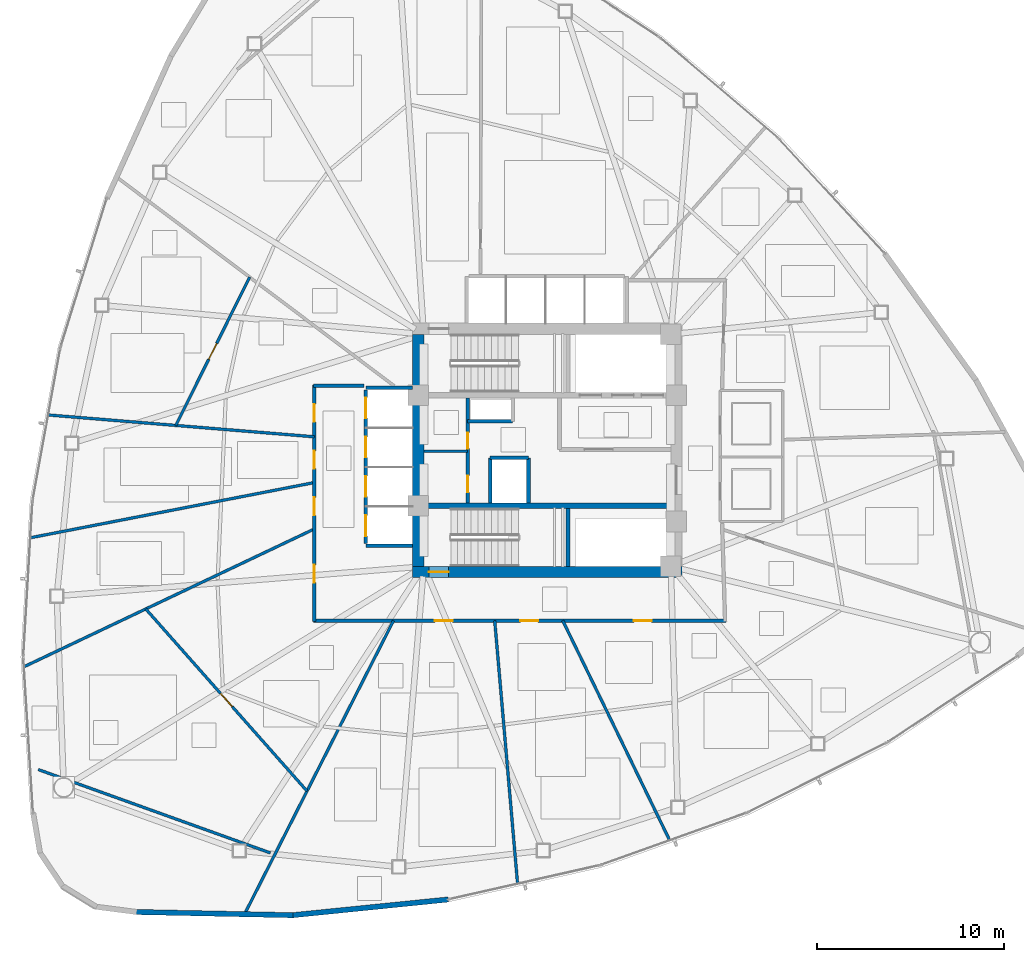
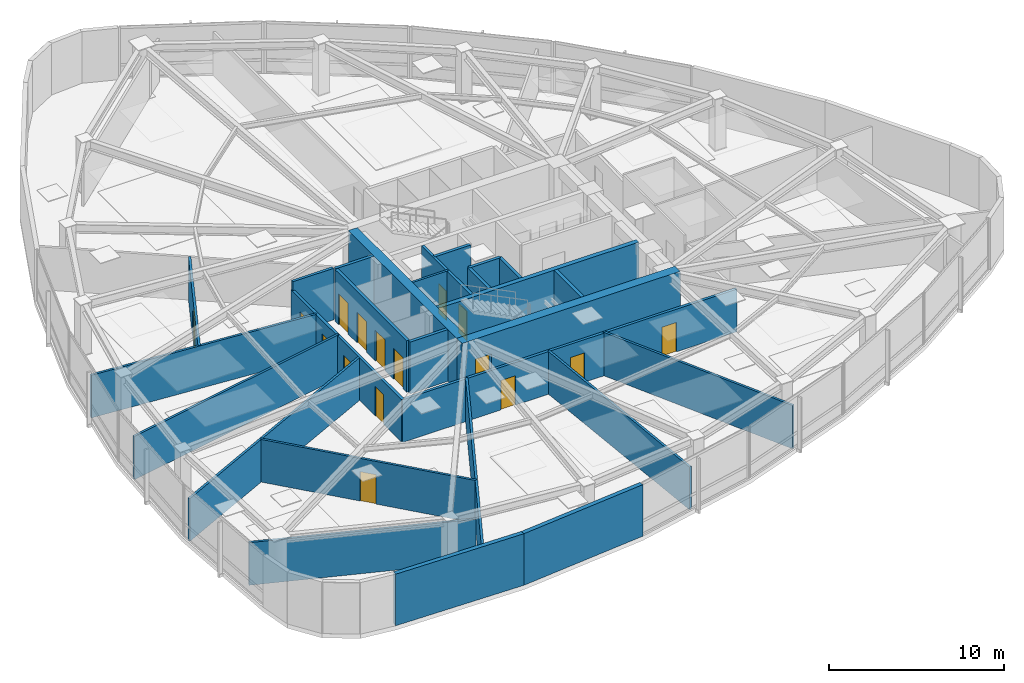
# One storey, part 11 of 17: 27 walls, 16 doors, 16 openings.
"""IFC4 building model written with IfcOpenShell, lengths in metres."""

from ifc_helpers import new_model, si_unit, direction, frame, frame_2d, origin, place, context, subcontext, project, spatial, rectangle, extrude, material, layer, layer_set, type_object, element, fill, save


model = new_model("IFC4")

# Units and contexts
model_context = context("Model", 3, precision=1e-05, world=origin(), true_north=direction((0.0, 1.0)))
body_context = subcontext(model_context, "Body", "Model", "MODEL_VIEW")
ifc_project = project(units=[si_unit("LENGTHUNIT", "METRE"), si_unit("AREAUNIT", "SQUARE_METRE"), si_unit("VOLUMEUNIT", "CUBIC_METRE"), si_unit("PLANEANGLEUNIT", "RADIAN"), si_unit("MASSUNIT", "GRAM", prefix="KILO")], contexts=[model_context])

# Site, building, storey
site_placement = place(None, origin())
site = spatial("IfcSite", under=ifc_project, at=site_placement, CompositionType="ELEMENT")
building_placement = place(site_placement, origin())
building = spatial("IfcBuilding", under=site, at=building_placement, Name="Tavelor Broadcast Tower", CompositionType="ELEMENT")
storey_placement = place(building_placement, frame((0.0, 0.0, 93.89990234375)))
storey = spatial("IfcBuildingStorey", under=building, at=storey_placement, Name="L22", CompositionType="ELEMENT", Elevation=93.89990234375)

# Wall, opening, door
ifc_material_1 = material(Name="Concrete C60/75", Category="concrete")
ifc_layer_1 = layer(ifc_material_1, 0.60009765625)
ifc_layer_set_1 = layer_set([ifc_layer_1], Name="Concrete C60/75")
wall_type_1 = type_object("IfcWallType", Name="Core Shear Wall 600 mm", PredefinedType="SHEAR", material=ifc_layer_set_1)
wall_1_placement = place(storey_placement, frame((42.800048828125, 38.5, 0.0), z_axis=(0.0, 0.0, 1.0), x_axis=(1.0, 0.0, 0.0)))
wall_1 = element("IfcWall", 1, at=wall_1_placement, inside=storey, type_object=wall_type_1, Name="L22 Central Core Shear Wall S", PredefinedType="SHEAR", context=body_context, shape_type="SweptSolid", body=[
    extrude(rectangle(XDim=14.39990234375, YDim=0.60009765625, at=frame_2d((7.199951171875, 0.0))), origin(), (0.0, 0.0, 1.0), 3.60009765625),
])
opening_1_placement = place(wall_1_placement, frame((0.8798828125, 0.0, 0.0)))
opening_1 = element("IfcOpeningElement", 2, at=opening_1_placement, cuts=wall_1, Name="Opening DR11", PredefinedType="OPENING", context=body_context, shape_type="SweptSolid", body=[
    extrude(rectangle(XDim=1.050048828125, YDim=2.199951171875, at=frame_2d((0.52490234375, 1.10009765625))), frame((0.0, 0.31005859375, 0.0), z_axis=(0.0, -1.0, 0.0), x_axis=(1.0, 0.0, 0.0)), (0.0, 0.0, 1.0), 0.6201171875),
])
ifc_material_2 = material(Name="Steel S355", Category="steel")
door_type_1 = type_object("IfcDoorType", Name="Stair Core Fire Escape Door 1050x2200", OperationType="NOTDEFINED", PredefinedType="DOOR", material=ifc_material_2)
door_1_placement = place(opening_1_placement, origin())
door_1 = element("IfcDoor", 3, at=door_1_placement, inside=storey, type_object=door_type_1, Name="L22 Stair ST2 Protected Exit Door", OperationType="SINGLE_SWING_RIGHT", OverallHeight=2.199951171875, OverallWidth=1.050048828125, PredefinedType="DOOR", context=body_context, shape_type="SweptSolid", body=[
    extrude(rectangle(XDim=1.050048828125, YDim=2.199951171875, at=frame_2d((0.52490234375, 1.10009765625))), frame((0.0, 0.02490234375, 0.0), z_axis=(0.0, -1.0, 0.0), x_axis=(1.0, 0.0, 0.0)), (0.0, 0.0, 1.0), 0.050048828125),
])
fill(opening_1, door_1)

# Walls
wall_2_placement = place(storey_placement, frame((43.10009765625, 38.800048828125, 0.0), z_axis=(0.0, 0.0, 1.0), x_axis=(0.0, 1.0, 0.0)))
element("IfcWall", 4, at=wall_2_placement, inside=storey, type_object=wall_type_1, Name="L22 Central Core Shear Wall W", PredefinedType="SHEAR", context=body_context, shape_type="SweptSolid", body=[
    extrude(rectangle(XDim=12.39990234375, YDim=0.60009765625, at=frame_2d((6.199951171875, 0.0))), origin(), (0.0, 0.0, 1.0), 3.60009765625),
])
ifc_layer_2 = layer(ifc_material_1, 0.300048828125)
ifc_layer_set_2 = layer_set([ifc_layer_2], Name="Concrete C60/75")
wall_type_2 = type_object("IfcWallType", Name="Core Spine Shear Wall 300 mm C60", PredefinedType="SHEAR", material=ifc_layer_set_2)
wall_3_placement = place(storey_placement, frame((43.39990234375, 42.050048828125, 0.0), z_axis=(0.0, 0.0, 1.0), x_axis=(1.0, 0.0, 0.0)))
element("IfcWall", 5, at=wall_3_placement, inside=storey, type_object=wall_type_2, Name="L22 Central Core Shear Wall SP2", PredefinedType="SHEAR", context=body_context, shape_type="SweptSolid", body=[
    extrude(rectangle(XDim=13.2001953125, YDim=0.300048828125, at=frame_2d((6.60009765625, 0.0))), origin(), (0.0, 0.0, 1.0), 3.60009765625),
])

# Wall, openings, doors
ifc_material_3 = material(Name="Calcium Silicate Fire Board 180 mm", Category="gypsum")
ifc_layer_3 = layer(ifc_material_3, 0.179931640625)
ifc_layer_set_3 = layer_set([ifc_layer_3], Name="Calcium Silicate Fire Board 180 mm")
wall_type_3 = type_object("IfcWallType", Name="Fire-Rated Corridor Partition Wall 180 mm", PredefinedType="PARTITIONING", material=ifc_layer_set_3)
wall_4_placement = place(storey_placement, frame((45.75, 42.199951171875, 0.0), z_axis=(0.0, 0.0, 1.0), x_axis=(0.0, 1.0, 0.0)))
wall_4 = element("IfcWall", 6, at=wall_4_placement, inside=storey, type_object=wall_type_3, Name="L22 Core West Service East Wall", PredefinedType="PARTITIONING", context=body_context, shape_type="SweptSolid", body=[
    extrude(rectangle(XDim=5.60009765625, YDim=0.179931640625, at=frame_2d((2.800048828125, 0.0))), origin(), (0.0, 0.0, 1.0), 3.60009765625),
])
opening_2_placement = place(wall_4_placement, frame((0.550048828125, 0.0, 0.0)))
opening_2 = element("IfcOpeningElement", 7, at=opening_2_placement, cuts=wall_4, Name="Opening DR32", PredefinedType="OPENING", context=body_context, shape_type="SweptSolid", body=[
    extrude(rectangle(XDim=0.89990234375, YDim=2.050048828125, at=frame_2d((0.449951171875, 1.02490234375))), frame((0.0, 0.10009765625, 0.0), z_axis=(0.0, -1.0, 0.0), x_axis=(1.0, 0.0, 0.0)), (0.0, 0.0, 1.0), 0.199951171875),
])
opening_3_placement = place(wall_4_placement, frame((2.89990234375, 0.0, 0.0)))
opening_3 = element("IfcOpeningElement", 8, at=opening_3_placement, cuts=wall_4, Name="Opening DR36", PredefinedType="OPENING", context=body_context, shape_type="SweptSolid", body=[
    extrude(rectangle(XDim=0.85009765625, YDim=2.050048828125, at=frame_2d((0.425048828125, 1.02490234375))), frame((0.0, 0.10009765625, 0.0), z_axis=(0.0, -1.0, 0.0), x_axis=(1.0, 0.0, 0.0)), (0.0, 0.0, 1.0), 0.199951171875),
])
ifc_material_4 = material(Name="Timber Solid Core Hardwood", Category="wood")
door_type_2 = type_object("IfcDoorType", Name="Accessible Washroom Door 900x2050", OperationType="NOTDEFINED", PredefinedType="DOOR", material=ifc_material_4)
door_2_placement = place(opening_2_placement, origin())
door_2 = element("IfcDoor", 9, at=door_2_placement, inside=storey, type_object=door_type_2, Name="L22 Core Accessible WC Door", OperationType="SINGLE_SWING_LEFT", OverallHeight=2.050048828125, OverallWidth=0.89990234375, PredefinedType="DOOR", context=body_context, shape_type="SweptSolid", body=[
    extrude(rectangle(XDim=0.89990234375, YDim=2.050048828125, at=frame_2d((0.449951171875, 1.02490234375))), frame((0.0, 0.02490234375, 0.0), z_axis=(0.0, -1.0, 0.0), x_axis=(1.0, 0.0, 0.0)), (0.0, 0.0, 1.0), 0.050048828125),
])
fill(opening_2, door_2)
door_type_3 = type_object("IfcDoorType", Name="Service Room Fire Door 850x2050", OperationType="NOTDEFINED", PredefinedType="DOOR", material=ifc_material_2)
door_3_placement = place(opening_3_placement, origin())
door_3 = element("IfcDoor", 10, at=door_3_placement, inside=storey, type_object=door_type_3, Name="L22 Core Cleaner Store Door", OperationType="SINGLE_SWING_RIGHT", OverallHeight=2.050048828125, OverallWidth=0.85009765625, PredefinedType="DOOR", context=body_context, shape_type="SweptSolid", body=[
    extrude(rectangle(XDim=0.85009765625, YDim=2.050048828125, at=frame_2d((0.425048828125, 1.02490234375))), frame((0.0, 0.02490234375, 0.0), z_axis=(0.0, -1.0, 0.0), x_axis=(1.0, 0.0, 0.0)), (0.0, 0.0, 1.0), 0.050048828125),
])
fill(opening_3, door_3)

wall_5_placement = place(storey_placement, frame((59.550048828125, 35.89990234375, 0.0), z_axis=(0.0, 0.0, 1.0), x_axis=(-1.0, 0.0, 0.0)))
wall_5 = element("IfcWall", 11, at=wall_5_placement, inside=storey, type_object=wall_type_3, Name="L22 Corridor Compartment Wall 04", PredefinedType="PARTITIONING", context=body_context, shape_type="SweptSolid", body=[
    extrude(rectangle(XDim=22.050048828125, YDim=0.179931640625, at=frame_2d((11.02490234375, 0.0))), origin(), (0.0, 0.0, 1.0), 2.97509765625),
])
opening_4_placement = place(wall_5_placement, frame((3.972412109375, 0.0, 0.0)))
opening_4 = element("IfcOpeningElement", 12, at=opening_4_placement, cuts=wall_5, Name="Opening DR18", PredefinedType="OPENING", context=body_context, shape_type="SweptSolid", body=[
    extrude(rectangle(XDim=0.949951171875, YDim=2.050048828125, at=frame_2d((0.47509765625, 1.02490234375))), frame((0.0, 0.10009765625, 0.0), z_axis=(0.0, -1.0, 0.0), x_axis=(1.0, 0.0, 0.0)), (0.0, 0.0, 1.0), 0.199951171875),
])
opening_5_placement = place(wall_5_placement, frame((10.0390625, 0.0, 0.0)))
opening_5 = element("IfcOpeningElement", 13, at=opening_5_placement, cuts=wall_5, Name="Opening DR18", PredefinedType="OPENING", context=body_context, shape_type="SweptSolid", body=[
    extrude(rectangle(XDim=0.949951171875, YDim=2.050048828125, at=frame_2d((0.47509765625, 1.02490234375))), frame((0.0, 0.10009765625, 0.0), z_axis=(0.0, -1.0, 0.0), x_axis=(1.0, 0.0, 0.0)), (0.0, 0.0, 1.0), 0.199951171875),
])
opening_6_placement = place(wall_5_placement, frame((14.606201171875, 0.0, 0.0)))
opening_6 = element("IfcOpeningElement", 14, at=opening_6_placement, cuts=wall_5, Name="Opening DR18", PredefinedType="OPENING", context=body_context, shape_type="SweptSolid", body=[
    extrude(rectangle(XDim=0.949951171875, YDim=2.050048828125, at=frame_2d((0.47509765625, 1.02490234375))), frame((0.0, 0.10009765625, 0.0), z_axis=(0.0, -1.0, 0.0), x_axis=(1.0, 0.0, 0.0)), (0.0, 0.0, 1.0), 0.199951171875),
])
door_type_4 = type_object("IfcDoorType", Name="Corridor Rated Compartment Door 950x2050", OperationType="NOTDEFINED", PredefinedType="DOOR", material=ifc_material_4)
door_4_placement = place(opening_4_placement, origin())
door_4 = element("IfcDoor", 15, at=door_4_placement, inside=storey, type_object=door_type_4, Name="L22 Editorial Quiet Study Door R0", OperationType="SINGLE_SWING_RIGHT", OverallHeight=2.050048828125, OverallWidth=0.949951171875, PredefinedType="DOOR", context=body_context, shape_type="SweptSolid", body=[
    extrude(rectangle(XDim=0.949951171875, YDim=2.050048828125, at=frame_2d((0.47509765625, 1.02490234375))), frame((0.0, 0.02490234375, 0.0), z_axis=(0.0, -1.0, 0.0), x_axis=(1.0, 0.0, 0.0)), (0.0, 0.0, 1.0), 0.050048828125),
])
fill(opening_4, door_4)
door_5_placement = place(opening_5_placement, origin())
door_5 = element("IfcDoor", 16, at=door_5_placement, inside=storey, type_object=door_type_4, Name="L22 Broadcast Script Study Door R1", OperationType="SINGLE_SWING_LEFT", OverallHeight=2.050048828125, OverallWidth=0.949951171875, PredefinedType="DOOR", context=body_context, shape_type="SweptSolid", body=[
    extrude(rectangle(XDim=0.949951171875, YDim=2.050048828125, at=frame_2d((0.47509765625, 1.02490234375))), frame((0.0, 0.02490234375, 0.0), z_axis=(0.0, -1.0, 0.0), x_axis=(1.0, 0.0, 0.0)), (0.0, 0.0, 1.0), 0.050048828125),
])
fill(opening_5, door_5)
door_6_placement = place(opening_6_placement, origin())
door_6 = element("IfcDoor", 17, at=door_6_placement, inside=storey, type_object=door_type_4, Name="L22 Executive Reading Study Door R2", OperationType="SINGLE_SWING_RIGHT", OverallHeight=2.050048828125, OverallWidth=0.949951171875, PredefinedType="DOOR", context=body_context, shape_type="SweptSolid", body=[
    extrude(rectangle(XDim=0.949951171875, YDim=2.050048828125, at=frame_2d((0.47509765625, 1.02490234375))), frame((0.0, 0.02490234375, 0.0), z_axis=(0.0, -1.0, 0.0), x_axis=(1.0, 0.0, 0.0)), (0.0, 0.0, 1.0), 0.050048828125),
])
fill(opening_6, door_6)

wall_6_placement = place(storey_placement, frame((37.550048828125, 35.85009765625, 0.0), z_axis=(0.0, 0.0, 1.0), x_axis=(0.0, 1.0, 0.0)))
wall_6 = element("IfcWall", 18, at=wall_6_placement, inside=storey, type_object=wall_type_3, Name="L22 Corridor Compartment Wall 05", PredefinedType="PARTITIONING", context=body_context, shape_type="SweptSolid", body=[
    extrude(rectangle(XDim=12.64990234375, YDim=0.179931640625, at=frame_2d((6.324951171875, 0.0))), origin(), (0.0, 0.0, 1.0), 2.97509765625),
])
opening_7_placement = place(wall_6_placement, frame((2.087646484375, 0.0, 0.0)))
opening_7 = element("IfcOpeningElement", 19, at=opening_7_placement, cuts=wall_6, Name="Opening DR18", PredefinedType="OPENING", context=body_context, shape_type="SweptSolid", body=[
    extrude(rectangle(XDim=0.949951171875, YDim=2.050048828125, at=frame_2d((0.47509765625, 1.02490234375))), frame((0.0, 0.10009765625, 0.0), z_axis=(0.0, -1.0, 0.0), x_axis=(1.0, 0.0, 0.0)), (0.0, 0.0, 1.0), 0.199951171875),
])
opening_8_placement = place(wall_6_placement, frame((5.68310546875, 0.0, 0.0)))
opening_8 = element("IfcOpeningElement", 20, at=opening_8_placement, cuts=wall_6, Name="Opening DR18", PredefinedType="OPENING", context=body_context, shape_type="SweptSolid", body=[
    extrude(rectangle(XDim=0.949951171875, YDim=2.050048828125, at=frame_2d((0.47509765625, 1.02490234375))), frame((0.0, 0.10009765625, 0.0), z_axis=(0.0, -1.0, 0.0), x_axis=(1.0, 0.0, 0.0)), (0.0, 0.0, 1.0), 0.199951171875),
])
opening_9_placement = place(wall_6_placement, frame((8.1728515625, 0.0, 0.0)))
opening_9 = element("IfcOpeningElement", 21, at=opening_9_placement, cuts=wall_6, Name="Opening DR18", PredefinedType="OPENING", context=body_context, shape_type="SweptSolid", body=[
    extrude(rectangle(XDim=0.949951171875, YDim=2.050048828125, at=frame_2d((0.47509765625, 1.02490234375))), frame((0.0, 0.10009765625, 0.0), z_axis=(0.0, -1.0, 0.0), x_axis=(1.0, 0.0, 0.0)), (0.0, 0.0, 1.0), 0.199951171875),
])
opening_10_placement = place(wall_6_placement, frame((10.6748046875, 0.0, 0.0)))
opening_10 = element("IfcOpeningElement", 22, at=opening_10_placement, cuts=wall_6, Name="Opening DR18", PredefinedType="OPENING", context=body_context, shape_type="SweptSolid", body=[
    extrude(rectangle(XDim=0.949951171875, YDim=2.050048828125, at=frame_2d((0.47509765625, 1.02490234375))), frame((0.0, 0.10009765625, 0.0), z_axis=(0.0, -1.0, 0.0), x_axis=(1.0, 0.0, 0.0)), (0.0, 0.0, 1.0), 0.199951171875),
])
door_7_placement = place(opening_7_placement, origin())
door_7 = element("IfcDoor", 23, at=door_7_placement, inside=storey, type_object=door_type_4, Name="L22 Producer Interview Room Door R12", OperationType="SINGLE_SWING_LEFT", OverallHeight=2.050048828125, OverallWidth=0.949951171875, PredefinedType="DOOR", context=body_context, shape_type="SweptSolid", body=[
    extrude(rectangle(XDim=0.949951171875, YDim=2.050048828125, at=frame_2d((0.47509765625, 1.02490234375))), frame((0.0, 0.02490234375, 0.0), z_axis=(0.0, -1.0, 0.0), x_axis=(1.0, 0.0, 0.0)), (0.0, 0.0, 1.0), 0.050048828125),
])
fill(opening_7, door_7)
door_8_placement = place(opening_8_placement, origin())
door_8 = element("IfcDoor", 24, at=door_8_placement, inside=storey, type_object=door_type_4, Name="L22 Documentary Research Study Door R4", OperationType="SINGLE_SWING_RIGHT", OverallHeight=2.050048828125, OverallWidth=0.949951171875, PredefinedType="DOOR", context=body_context, shape_type="SweptSolid", body=[
    extrude(rectangle(XDim=0.949951171875, YDim=2.050048828125, at=frame_2d((0.47509765625, 1.02490234375))), frame((0.0, 0.02490234375, 0.0), z_axis=(0.0, -1.0, 0.0), x_axis=(1.0, 0.0, 0.0)), (0.0, 0.0, 1.0), 0.050048828125),
])
fill(opening_8, door_8)
door_9_placement = place(opening_9_placement, origin())
door_9 = element("IfcDoor", 25, at=door_9_placement, inside=storey, type_object=door_type_4, Name="L22 Talent Script Den Door R5", OperationType="SINGLE_SWING_LEFT", OverallHeight=2.050048828125, OverallWidth=0.949951171875, PredefinedType="DOOR", context=body_context, shape_type="SweptSolid", body=[
    extrude(rectangle(XDim=0.949951171875, YDim=2.050048828125, at=frame_2d((0.47509765625, 1.02490234375))), frame((0.0, 0.02490234375, 0.0), z_axis=(0.0, -1.0, 0.0), x_axis=(1.0, 0.0, 0.0)), (0.0, 0.0, 1.0), 0.050048828125),
])
fill(opening_9, door_9)
door_10_placement = place(opening_10_placement, origin())
door_10 = element("IfcDoor", 26, at=door_10_placement, inside=storey, type_object=door_type_4, Name="L22 VFX Compositing Lab Door R11", OperationType="SINGLE_SWING_RIGHT", OverallHeight=2.050048828125, OverallWidth=0.949951171875, PredefinedType="DOOR", context=body_context, shape_type="SweptSolid", body=[
    extrude(rectangle(XDim=0.949951171875, YDim=2.050048828125, at=frame_2d((0.47509765625, 1.02490234375))), frame((0.0, 0.02490234375, 0.0), z_axis=(0.0, -1.0, 0.0), x_axis=(1.0, 0.0, 0.0)), (0.0, 0.0, 1.0), 0.050048828125),
])
fill(opening_10, door_10)

# Walls
wall_7_placement = place(storey_placement, frame((37.5, 48.449951171875, 0.0), z_axis=(0.0, 0.0, 1.0), x_axis=(1.0, 0.0, 0.0)))
element("IfcWall", 27, at=wall_7_placement, inside=storey, type_object=wall_type_3, Name="L22 Corridor Compartment Wall 06", PredefinedType="PARTITIONING", context=body_context, shape_type="SweptSolid", body=[
    extrude(rectangle(XDim=2.699951171875, YDim=0.179931640625, at=frame_2d((1.35009765625, 0.0))), origin(), (0.0, 0.0, 1.0), 3.60009765625),
])
ifc_material_5 = material(Name="Precast Concrete C40/50", Category="concrete")
ifc_layer_4 = layer(ifc_material_5, 0.280029296875)
ifc_layer_set_4 = layer_set([ifc_layer_4], Name="Precast Concrete C40/50")
wall_type_4 = type_object("IfcWallType", Name="Insulated Precast Terracotta Facade Wall 280 mm", PredefinedType="STANDARD", material=ifc_layer_set_4)
wall_8_placement = place(storey_placement, frame((28.03076171875, 20.332275390625, 0.0), z_axis=(0.0, 0.0, 1.0), x_axis=(0.999788945502, -0.020544207251, 0.0)))
element("IfcWall", 28, at=wall_8_placement, inside=storey, type_object=wall_type_4, Name="L22 Rounded Corner Structural Cladding Pier 15", PredefinedType="STANDARD", context=body_context, shape_type="SweptSolid", body=[
    extrude(rectangle(XDim=8.3779296875, YDim=0.280029296875, at=frame_2d((4.18896484375, 0.0))), origin(), (0.0, 0.0, 1.0), 3.60009765625),
])
wall_9_placement = place(storey_placement, frame((36.376953125, 20.158935546875, 0.0), z_axis=(0.0, 0.0, 1.0), x_axis=(0.994927664278, 0.100592956289, 0.0)))
element("IfcWall", 29, at=wall_9_placement, inside=storey, type_object=wall_type_4, Name="L22 Rounded Corner Structural Cladding Pier 16", PredefinedType="STANDARD", context=body_context, shape_type="SweptSolid", body=[
    extrude(rectangle(XDim=8.365966796875, YDim=0.280029296875, at=frame_2d((4.18310546875, 0.0))), origin(), (0.0, 0.0, 1.0), 3.60009765625),
])
ifc_material_6 = material(Name="Gypsum Acoustic Plasterboard 150 mm", Category="gypsum")
ifc_layer_5 = layer(ifc_material_6, 0.14990234375)
ifc_layer_set_5 = layer_set([ifc_layer_5], Name="Gypsum Acoustic Plasterboard 150 mm")
wall_type_5 = type_object("IfcWallType", Name="Interior Acoustic Partition Wall 150 mm", PredefinedType="PARTITIONING", material=ifc_layer_set_5)
wall_10_placement = place(storey_placement, frame((43.39990234375, 44.949951171875, 0.0), z_axis=(0.0, 0.0, 1.0), x_axis=(1.0, 0.0, 0.0)))
element("IfcWall", 30, at=wall_10_placement, inside=storey, type_object=wall_type_5, Name="L22 Core Split Wall A", PredefinedType="PARTITIONING", context=body_context, shape_type="SweptSolid", body=[
    extrude(rectangle(XDim=2.35009765625, YDim=0.14990234375, at=frame_2d((1.175048828125, 0.0))), origin(), (0.0, 0.0, 1.0), 3.60009765625),
])
wall_11_placement = place(storey_placement, frame((22.802001953125, 27.94482421875, 0.0), z_axis=(0.0, 0.0, 1.0), x_axis=(0.941102349209, -0.338121824662, 0.0)))
element("IfcWall", 31, at=wall_11_placement, inside=storey, type_object=wall_type_5, Name="L22 Corner Tube Brace Furring Wall 2", PredefinedType="PARTITIONING", context=body_context, shape_type="SweptSolid", body=[
    extrude(rectangle(XDim=13.1796875, YDim=0.14990234375, at=frame_2d((6.58984375, 0.0))), origin(), (0.0, 0.0, 1.0), 2.97509765625),
])
wall_12_placement = place(storey_placement, frame((37.550048828125, 43.27978515625, 0.0), z_axis=(0.0, 0.0, 1.0), x_axis=(-0.981626313679, -0.190813469892, 0.0)))
element("IfcWall", 32, at=wall_12_placement, inside=storey, type_object=wall_type_5, Name="L22 Radial Compartment Wall 01", PredefinedType="PARTITIONING", context=body_context, shape_type="SweptSolid", body=[
    extrude(rectangle(XDim=15.467529296875, YDim=0.14990234375, at=frame_2d((7.73388671875, 0.0))), origin(), (0.0, 0.0, 1.0), 3.025146484375),
])
wall_13_placement = place(storey_placement, frame((37.550048828125, 40.7998046875, 0.0), z_axis=(0.0, 0.0, 1.0), x_axis=(-0.903418815243, -0.428759191465, 0.0)))
element("IfcWall", 33, at=wall_13_placement, inside=storey, type_object=wall_type_5, Name="L22 Radial Compartment Wall 02", PredefinedType="PARTITIONING", context=body_context, shape_type="SweptSolid", body=[
    extrude(rectangle(XDim=17.185302734375, YDim=0.14990234375, at=frame_2d((8.5927734375, 0.0))), origin(), (0.0, 0.0, 1.0), 2.97509765625),
])
wall_14_placement = place(storey_placement, frame((41.78173828125, 35.89990234375, 0.0), z_axis=(0.0, 0.0, 1.0), x_axis=(-0.452548316894, -0.89173988409, 0.0)))
element("IfcWall", 34, at=wall_14_placement, inside=storey, type_object=wall_type_5, Name="L22 Radial Compartment Wall 03", PredefinedType="PARTITIONING", context=body_context, shape_type="SweptSolid", body=[
    extrude(rectangle(XDim=17.60205078125, YDim=0.14990234375, at=frame_2d((8.801025390625, 0.0))), origin(), (0.0, 0.0, 1.0), 2.97509765625),
])
wall_15_placement = place(storey_placement, frame((47.191162109375, 35.89990234375, 0.0), z_axis=(0.0, 0.0, 1.0), x_axis=(0.08660425448, -0.996242793252, 0.0)))
element("IfcWall", 35, at=wall_15_placement, inside=storey, type_object=wall_type_5, Name="L22 Radial Compartment Wall 04", PredefinedType="PARTITIONING", context=body_context, shape_type="SweptSolid", body=[
    extrude(rectangle(XDim=14.123291015625, YDim=0.14990234375, at=frame_2d((7.0615234375, 0.0))), origin(), (0.0, 0.0, 1.0), 2.97509765625),
])
wall_16_placement = place(storey_placement, frame((50.828857421875, 35.89990234375, 0.0), z_axis=(0.0, 0.0, 1.0), x_axis=(0.437604176033, -0.899167718014, 0.0)))
element("IfcWall", 36, at=wall_16_placement, inside=storey, type_object=wall_type_5, Name="L22 Radial Compartment Wall 05", PredefinedType="PARTITIONING", context=body_context, shape_type="SweptSolid", body=[
    extrude(rectangle(XDim=13.063232421875, YDim=0.14990234375, at=frame_2d((6.53173828125, 0.0))), origin(), (0.0, 0.0, 1.0), 3.025146484375),
])
wall_17_placement = place(storey_placement, frame((37.550048828125, 45.72607421875, 0.0), z_axis=(0.0, 0.0, 1.0), x_axis=(-0.996651081708, 0.081771763653, 0.0)))
element("IfcWall", 37, at=wall_17_placement, inside=storey, type_object=wall_type_5, Name="L22 Radial Compartment Wall 11", PredefinedType="PARTITIONING", context=body_context, shape_type="SweptSolid", body=[
    extrude(rectangle(XDim=14.27734375, YDim=0.14990234375, at=frame_2d((7.138671875, 0.0))), origin(), (0.0, 0.0, 1.0), 2.97509765625),
])

# Wall, opening, door
wall_18_placement = place(storey_placement, frame((34.094970703125, 54.256591796875, 0.0), z_axis=(0.0, 0.0, 1.0), x_axis=(-0.445635137277, -0.895214680635, 0.0)))
wall_18 = element("IfcWall", 38, at=wall_18_placement, inside=storey, type_object=wall_type_5, Name="L22 Suite Chord Partition Wall 01", PredefinedType="PARTITIONING", context=body_context, shape_type="SweptSolid", body=[
    extrude(rectangle(XDim=8.85107421875, YDim=0.14990234375, at=frame_2d((4.425537109375, 0.0))), origin(), (0.0, 0.0, 1.0), 2.97509765625),
])
opening_11_placement = place(wall_18_placement, frame((3.950439453125, 0.0, 0.0)))
opening_11 = element("IfcOpeningElement", 39, at=opening_11_placement, cuts=wall_18, Name="Opening DR23", PredefinedType="OPENING", context=body_context, shape_type="SweptSolid", body=[
    extrude(rectangle(XDim=0.949951171875, YDim=2.050048828125, at=frame_2d((0.47509765625, 1.02490234375))), frame((0.0, 0.0849609375, 0.0), z_axis=(0.0, -1.0, 0.0), x_axis=(1.0, 0.0, 0.0)), (0.0, 0.0, 1.0), 0.169921875),
])
door_type_5 = type_object("IfcDoorType", Name="Editorial Room Acoustic Door 950x2050", OperationType="NOTDEFINED", PredefinedType="DOOR", material=ifc_material_4)
door_11_placement = place(opening_11_placement, origin())
door_11 = element("IfcDoor", 40, at=door_11_placement, inside=storey, type_object=door_type_5, Name="L22 Outer Suite Partition Door 1", OperationType="SINGLE_SWING_LEFT", OverallHeight=2.050048828125, OverallWidth=0.949951171875, PredefinedType="DOOR", context=body_context, shape_type="SweptSolid", body=[
    extrude(rectangle(XDim=0.949951171875, YDim=2.050048828125, at=frame_2d((0.47509765625, 1.02490234375))), frame((0.0, 0.02490234375, 0.0), z_axis=(0.0, -1.0, 0.0), x_axis=(1.0, 0.0, 0.0)), (0.0, 0.0, 1.0), 0.050048828125),
])
fill(opening_11, door_11)

wall_19_placement = place(storey_placement, frame((28.545166015625, 36.526123046875, 0.0), z_axis=(0.0, 0.0, 1.0), x_axis=(0.662960052541, -0.748654772732, 0.0)))
wall_19 = element("IfcWall", 41, at=wall_19_placement, inside=storey, type_object=wall_type_5, Name="L22 Suite Chord Partition Wall 02", PredefinedType="PARTITIONING", context=body_context, shape_type="SweptSolid", body=[
    extrude(rectangle(XDim=12.996826171875, YDim=0.14990234375, at=frame_2d((6.49853515625, 0.0))), origin(), (0.0, 0.0, 1.0), 2.97509765625),
])
opening_12_placement = place(wall_19_placement, frame((6.0234375, 0.0, 0.0)))
opening_12 = element("IfcOpeningElement", 42, at=opening_12_placement, cuts=wall_19, Name="Opening DR23", PredefinedType="OPENING", context=body_context, shape_type="SweptSolid", body=[
    extrude(rectangle(XDim=0.949951171875, YDim=2.050048828125, at=frame_2d((0.47509765625, 1.02490234375))), frame((0.0, 0.0849609375, 0.0), z_axis=(0.0, -1.0, 0.0), x_axis=(1.0, 0.0, 0.0)), (0.0, 0.0, 1.0), 0.169921875),
])
door_12_placement = place(opening_12_placement, origin())
door_12 = element("IfcDoor", 43, at=door_12_placement, inside=storey, type_object=door_type_5, Name="L22 Outer Suite Partition Door 2", OperationType="SINGLE_SWING_RIGHT", OverallHeight=2.050048828125, OverallWidth=0.949951171875, PredefinedType="DOOR", context=body_context, shape_type="SweptSolid", body=[
    extrude(rectangle(XDim=0.949951171875, YDim=2.050048828125, at=frame_2d((0.47509765625, 1.02490234375))), frame((0.0, 0.02490234375, 0.0), z_axis=(0.0, -1.0, 0.0), x_axis=(1.0, 0.0, 0.0)), (0.0, 0.0, 1.0), 0.050048828125),
])
fill(opening_12, door_12)

# Wall, openings, doors
ifc_material_7 = material(Name="Concrete Blockwork 200 mm", Category="masonry")
ifc_layer_6 = layer(ifc_material_7, 0.199951171875)
ifc_layer_set_6 = layer_set([ifc_layer_6], Name="Concrete Blockwork 200 mm")
wall_type_6 = type_object("IfcWallType", Name="Lift Hoistway Rated Front Wall 200 mm", PredefinedType="PARTITIONING", material=ifc_layer_set_6)
wall_20_placement = place(storey_placement, frame((40.300048828125, 40.02001953125, 0.0), z_axis=(0.0, 0.0, 1.0), x_axis=(0.0, 1.0, 0.0)))
wall_20 = element("IfcWall", 44, at=wall_20_placement, inside=storey, type_object=wall_type_6, Name="L22 Low-Rise Lift Hoistway Front Wall", PredefinedType="PARTITIONING", context=body_context, shape_type="SweptSolid", body=[
    extrude(rectangle(XDim=8.2099609375, YDim=0.199951171875, at=frame_2d((4.10498046875, 0.0))), origin(), (0.0, 0.0, 1.0), 3.60009765625),
])
opening_13_placement = place(wall_20_placement, frame((0.405029296875, 0.0, 0.0)))
opening_13 = element("IfcOpeningElement", 45, at=opening_13_placement, cuts=wall_20, Name="Opening LD01", PredefinedType="OPENING", context=body_context, shape_type="SweptSolid", body=[
    extrude(rectangle(XDim=1.10009765625, YDim=2.14990234375, at=frame_2d((0.550048828125, 1.074951171875))), frame((0.0, 0.10986328125, 0.0), z_axis=(0.0, -1.0, 0.0), x_axis=(1.0, 0.0, 0.0)), (0.0, 0.0, 1.0), 0.219970703125),
])
opening_14_placement = place(wall_20_placement, frame((2.5048828125, 0.0, 0.0)))
opening_14 = element("IfcOpeningElement", 46, at=opening_14_placement, cuts=wall_20, Name="Opening LD01", PredefinedType="OPENING", context=body_context, shape_type="SweptSolid", body=[
    extrude(rectangle(XDim=1.10009765625, YDim=2.14990234375, at=frame_2d((0.550048828125, 1.074951171875))), frame((0.0, 0.10986328125, 0.0), z_axis=(0.0, -1.0, 0.0), x_axis=(1.0, 0.0, 0.0)), (0.0, 0.0, 1.0), 0.219970703125),
])
opening_15_placement = place(wall_20_placement, frame((4.60498046875, 0.0, 0.0)))
opening_15 = element("IfcOpeningElement", 47, at=opening_15_placement, cuts=wall_20, Name="Opening LD01", PredefinedType="OPENING", context=body_context, shape_type="SweptSolid", body=[
    extrude(rectangle(XDim=1.10009765625, YDim=2.14990234375, at=frame_2d((0.550048828125, 1.074951171875))), frame((0.0, 0.10986328125, 0.0), z_axis=(0.0, -1.0, 0.0), x_axis=(1.0, 0.0, 0.0)), (0.0, 0.0, 1.0), 0.219970703125),
])
opening_16_placement = place(wall_20_placement, frame((6.705078125, 0.0, 0.0)))
opening_16 = element("IfcOpeningElement", 48, at=opening_16_placement, cuts=wall_20, Name="Opening LD01", PredefinedType="OPENING", context=body_context, shape_type="SweptSolid", body=[
    extrude(rectangle(XDim=1.10009765625, YDim=2.14990234375, at=frame_2d((0.550048828125, 1.074951171875))), frame((0.0, 0.10986328125, 0.0), z_axis=(0.0, -1.0, 0.0), x_axis=(1.0, 0.0, 0.0)), (0.0, 0.0, 1.0), 0.219970703125),
])
ifc_material_8 = material(Name="Brushed Stainless Steel", Category="steel")
door_type_6 = type_object("IfcDoorType", Name="Passenger Lift Sliding Landing Door 1100x2150", OperationType="NOTDEFINED", PredefinedType="DOOR", material=ifc_material_8)
door_13_placement = place(opening_13_placement, origin())
door_13 = element("IfcDoor", 49, at=door_13_placement, inside=storey, type_object=door_type_6, Name="L22 Lift PLL1 Sliding Landing Door", OperationType="SLIDING_TO_LEFT", OverallHeight=2.14990234375, OverallWidth=1.10009765625, PredefinedType="DOOR", context=body_context, shape_type="SweptSolid", body=[
    extrude(rectangle(XDim=1.10009765625, YDim=2.14990234375, at=frame_2d((0.550048828125, 1.074951171875))), frame((0.0, 0.02490234375, 0.0), z_axis=(0.0, -1.0, 0.0), x_axis=(1.0, 0.0, 0.0)), (0.0, 0.0, 1.0), 0.050048828125),
])
fill(opening_13, door_13)
door_14_placement = place(opening_14_placement, origin())
door_14 = element("IfcDoor", 50, at=door_14_placement, inside=storey, type_object=door_type_6, Name="L22 Lift PLL2 Sliding Landing Door", OperationType="SLIDING_TO_RIGHT", OverallHeight=2.14990234375, OverallWidth=1.10009765625, PredefinedType="DOOR", context=body_context, shape_type="SweptSolid", body=[
    extrude(rectangle(XDim=1.10009765625, YDim=2.14990234375, at=frame_2d((0.550048828125, 1.074951171875))), frame((0.0, 0.02490234375, 0.0), z_axis=(0.0, -1.0, 0.0), x_axis=(1.0, 0.0, 0.0)), (0.0, 0.0, 1.0), 0.050048828125),
])
fill(opening_14, door_14)
door_15_placement = place(opening_15_placement, origin())
door_15 = element("IfcDoor", 51, at=door_15_placement, inside=storey, type_object=door_type_6, Name="L22 Lift PLL3 Sliding Landing Door", OperationType="SLIDING_TO_LEFT", OverallHeight=2.14990234375, OverallWidth=1.10009765625, PredefinedType="DOOR", context=body_context, shape_type="SweptSolid", body=[
    extrude(rectangle(XDim=1.10009765625, YDim=2.14990234375, at=frame_2d((0.550048828125, 1.074951171875))), frame((0.0, 0.02490234375, 0.0), z_axis=(0.0, -1.0, 0.0), x_axis=(1.0, 0.0, 0.0)), (0.0, 0.0, 1.0), 0.050048828125),
])
fill(opening_15, door_15)
door_16_placement = place(opening_16_placement, origin())
door_16 = element("IfcDoor", 52, at=door_16_placement, inside=storey, type_object=door_type_6, Name="L22 Lift PLL4 Sliding Landing Door", OperationType="SLIDING_TO_RIGHT", OverallHeight=2.14990234375, OverallWidth=1.10009765625, PredefinedType="DOOR", context=body_context, shape_type="SweptSolid", body=[
    extrude(rectangle(XDim=1.10009765625, YDim=2.14990234375, at=frame_2d((0.550048828125, 1.074951171875))), frame((0.0, 0.02490234375, 0.0), z_axis=(0.0, -1.0, 0.0), x_axis=(1.0, 0.0, 0.0)), (0.0, 0.0, 1.0), 0.050048828125),
])
fill(opening_16, door_16)

# Walls
wall_21_placement = place(storey_placement, frame((49.0, 42.199951171875, 0.0), z_axis=(0.0, 0.0, 1.0), x_axis=(0.0, 1.0, 0.0)))
element("IfcWall", 53, at=wall_21_placement, inside=storey, type_object=wall_type_6, Name="L22 Mid-Rise Lift PLM4 Hoistway Front Wall", PredefinedType="PARTITIONING", context=body_context, shape_type="SweptSolid", body=[
    extrude(rectangle(XDim=2.400146484375, YDim=0.199951171875, at=frame_2d((1.2001953125, 0.0))), origin(), (0.0, 0.0, 1.0), 3.60009765625),
])
ifc_layer_7 = layer(ifc_material_7, 0.199951171875)
ifc_layer_set_7 = layer_set([ifc_layer_7], Name="Concrete Blockwork 200 mm")
wall_type_7 = type_object("IfcWallType", Name="Lift and Riser Shaft Enclosure Wall 200 mm", PredefinedType="PARTITIONING", material=ifc_layer_set_7)
for number, where, z_axis, x_axis, name in (
    (54, (40.300048828125, 39.89990234375, 0.0), (0.0, 0.0, 1.0), (1.0, 0.0, 0.0), "L22 Low-Rise Lift Shaft South Wall"),
    (55, (40.300048828125, 48.35009765625, 0.0), (0.0, 0.0, 1.0), (1.0, 0.0, 0.0), "L22 Low-Rise Lift Shaft North Wall"),
):
    element("IfcWall", number, at=place(storey_placement, frame(where, z_axis=z_axis, x_axis=x_axis)), inside=storey, type_object=wall_type_7, Name=name, PredefinedType="PARTITIONING", context=body_context, shape_type="SweptSolid", body=[
        extrude(rectangle(XDim=2.5, YDim=0.199951171875, at=frame_2d((1.25, 0.0))), origin(), (0.0, 0.0, 1.0), 3.60009765625),
    ])
wall_22_placement = place(storey_placement, frame((45.75, 46.550048828125, 0.0), z_axis=(0.0, 0.0, 1.0), x_axis=(1.0, 0.0, 0.0)))
element("IfcWall", 56, at=wall_22_placement, inside=storey, type_object=wall_type_7, Name="L22 Riser Shaft South Wall", PredefinedType="PARTITIONING", context=body_context, shape_type="SweptSolid", body=[
    extrude(rectangle(XDim=2.39990234375, YDim=0.199951171875, at=frame_2d((1.199951171875, 0.0))), origin(), (0.0, 0.0, 1.0), 3.60009765625),
])
wall_23_placement = place(storey_placement, frame((46.949951171875, 42.199951171875, 0.0), z_axis=(0.0, 0.0, 1.0), x_axis=(0.0, 1.0, 0.0)))
element("IfcWall", 57, at=wall_23_placement, inside=storey, type_object=wall_type_7, Name="L22 Mid-Rise Lift PLM4 West Wall", PredefinedType="PARTITIONING", context=body_context, shape_type="SweptSolid", body=[
    extrude(rectangle(XDim=2.400146484375, YDim=0.199951171875, at=frame_2d((1.2001953125, 0.0))), origin(), (0.0, 0.0, 1.0), 3.60009765625),
])
wall_24_placement = place(storey_placement, frame((46.949951171875, 44.60009765625, 0.0), z_axis=(0.0, 0.0, 1.0), x_axis=(1.0, 0.0, 0.0)))
element("IfcWall", 58, at=wall_24_placement, inside=storey, type_object=wall_type_7, Name="L22 Mid-Rise Lift PLM4 North Wall", PredefinedType="PARTITIONING", context=body_context, shape_type="SweptSolid", body=[
    extrude(rectangle(XDim=2.050048828125, YDim=0.199951171875, at=frame_2d((1.02490234375, 0.0))), origin(), (0.0, 0.0, 1.0), 3.60009765625),
])
ifc_material_9 = material(Name="Concrete C40/50", Category="concrete")
ifc_layer_8 = layer(ifc_material_9, 0.219970703125)
ifc_layer_set_8 = layer_set([ifc_layer_8], Name="Concrete C40/50")
wall_type_8 = type_object("IfcWallType", Name="Structural Stairwell Shear Wall 220 mm", PredefinedType="SHEAR", material=ifc_layer_set_8)
wall_25_placement = place(storey_placement, frame((51.110107421875, 38.800048828125, 0.0), z_axis=(0.0, 0.0, 1.0), x_axis=(0.0, 1.0, 0.0)))
element("IfcWall", 59, at=wall_25_placement, inside=storey, type_object=wall_type_8, Name="L22 Stair ST2 Structural Shaft Wall", PredefinedType="SHEAR", context=body_context, shape_type="SweptSolid", body=[
    extrude(rectangle(XDim=3.099853515625, YDim=0.219970703125, at=frame_2d((1.5498046875, 0.0))), origin(), (0.0, 0.0, 1.0), 3.60009765625),
])

save(model, "model.ifc")
